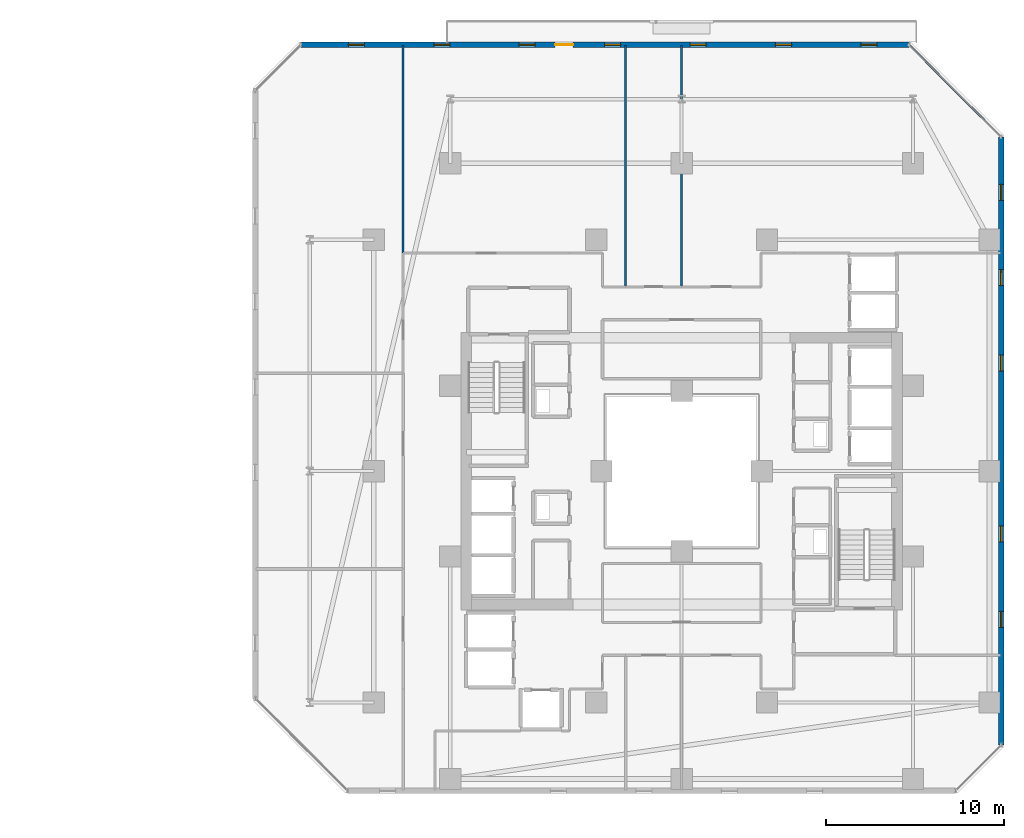
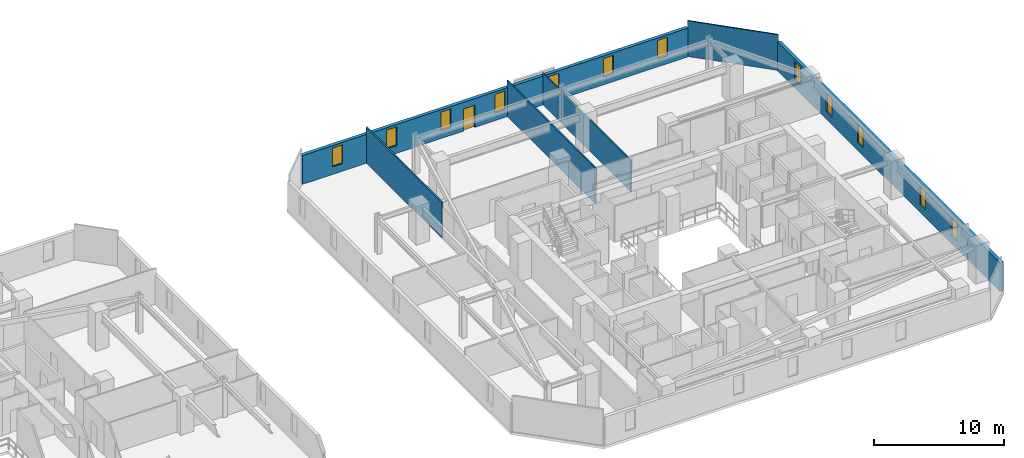
# One storey, part 24 of 31: 12 windows, 6 walls, 1 door, 13 openings.
"""IFC4 building model written with IfcOpenShell, lengths in metres."""

from ifc_helpers import new_model, si_unit, direction, frame, frame_2d, origin, place, context, subcontext, project, spatial, rectangle, extrude, material, layer, layer_set, type_object, element, fill, save


model = new_model("IFC4")

# Units and contexts
model_context = context("Model", 3, precision=1e-05, world=origin(), true_north=direction((0.0, 1.0)))
body_context = subcontext(model_context, "Body", "Model", "MODEL_VIEW")
ifc_project = project(units=[si_unit("LENGTHUNIT", "METRE"), si_unit("AREAUNIT", "SQUARE_METRE"), si_unit("VOLUMEUNIT", "CUBIC_METRE"), si_unit("PLANEANGLEUNIT", "RADIAN"), si_unit("MASSUNIT", "GRAM", prefix="KILO")], contexts=[model_context])

# Site, building, storey
site_placement = place(None, origin())
site = spatial("IfcSite", under=ifc_project, at=site_placement, CompositionType="ELEMENT")
building_placement = place(site_placement, origin())
building = spatial("IfcBuilding", under=site, at=building_placement, Name="Thornwick Lancets Civic Towers", CompositionType="ELEMENT")
storey_placement = place(building_placement, frame((0.0, 0.0, 87.300048828125)))
storey = spatial("IfcBuildingStorey", under=building, at=storey_placement, Name="L22", CompositionType="ELEMENT", Elevation=87.300048828125)

# Wall, openings, windows
ifc_material_1 = material(Name="Insulated russet terracotta rainscreen on concrete C40/50", Category="masonry")
ifc_layer_1 = layer(ifc_material_1, 0.300048828125, Name="Insulated russet terracotta rainscreen on concrete C40/50")
ifc_layer_set_1 = layer_set([ifc_layer_1], Name="Insulated russet terracotta rainscreen on concrete C40/50")
wall_type_1 = type_object("IfcWallType", Name="WALL_EXT_RUSSET_300", PredefinedType="STANDARD", material=ifc_layer_set_1)
wall_1_placement = place(storey_placement, frame((106.464599609375, 11.61865234375, 0.0), z_axis=(0.0, 0.0, 1.0), x_axis=(-0.000243032466, 0.999999970468, 0.0)))
wall_1 = element("IfcWall", 1, at=wall_1_placement, inside=storey, type_object=wall_type_1, Name="L22 Tower B Terracotta Facade Wall E2", PredefinedType="STANDARD", context=body_context, shape_type="SweptSolid", body=[
    extrude(rectangle(XDim=34.155029296875, YDim=0.300048828125, at=frame_2d((17.07763671875, 0.0))), origin(), (0.0, 0.0, 1.0), 2.699951171875),
])
opening_1_placement = place(wall_1_placement, frame((6.60009765625, 0.0, 0.719970703125)))
opening_1 = element("IfcOpeningElement", 2, at=opening_1_placement, cuts=wall_1, Name="Opening WL-01", PredefinedType="OPENING", context=body_context, shape_type="SweptSolid", body=[
    extrude(rectangle(XDim=0.89990234375, YDim=1.75, at=frame_2d((0.449951171875, 0.875))), frame((0.0, 0.16015625, 0.0), z_axis=(0.0, -1.0, 0.0), x_axis=(1.0, 0.0, 0.0)), (0.0, 0.0, 1.0), 0.320068359375),
])
opening_2_placement = place(wall_1_placement, frame((11.39990234375, 0.0, 0.719970703125)))
opening_2 = element("IfcOpeningElement", 3, at=opening_2_placement, cuts=wall_1, Name="Opening WL-01", PredefinedType="OPENING", context=body_context, shape_type="SweptSolid", body=[
    extrude(rectangle(XDim=0.89990234375, YDim=1.75, at=frame_2d((0.449951171875, 0.875))), frame((0.0, 0.16015625, 0.0), z_axis=(0.0, -1.0, 0.0), x_axis=(1.0, 0.0, 0.0)), (0.0, 0.0, 1.0), 0.320068359375),
])
opening_3_placement = place(wall_1_placement, frame((21.0, 0.0, 0.719970703125)))
opening_3 = element("IfcOpeningElement", 4, at=opening_3_placement, cuts=wall_1, Name="Opening WL-01", PredefinedType="OPENING", context=body_context, shape_type="SweptSolid", body=[
    extrude(rectangle(XDim=0.89990234375, YDim=1.75, at=frame_2d((0.449951171875, 0.875))), frame((0.0, 0.16015625, 0.0), z_axis=(0.0, -1.0, 0.0), x_axis=(1.0, 0.0, 0.0)), (0.0, 0.0, 1.0), 0.320068359375),
])
opening_4_placement = place(wall_1_placement, frame((25.800048828125, 0.0, 0.719970703125)))
opening_4 = element("IfcOpeningElement", 5, at=opening_4_placement, cuts=wall_1, Name="Opening WL-01", PredefinedType="OPENING", context=body_context, shape_type="SweptSolid", body=[
    extrude(rectangle(XDim=0.89990234375, YDim=1.75, at=frame_2d((0.449951171875, 0.875))), frame((0.0, 0.16015625, 0.0), z_axis=(0.0, -1.0, 0.0), x_axis=(1.0, 0.0, 0.0)), (0.0, 0.0, 1.0), 0.320068359375),
])
opening_5_placement = place(wall_1_placement, frame((30.60009765625, 0.0, 0.719970703125)))
opening_5 = element("IfcOpeningElement", 6, at=opening_5_placement, cuts=wall_1, Name="Opening WL-01", PredefinedType="OPENING", context=body_context, shape_type="SweptSolid", body=[
    extrude(rectangle(XDim=0.89990234375, YDim=1.75, at=frame_2d((0.449951171875, 0.875))), frame((0.0, 0.16015625, 0.0), z_axis=(0.0, -1.0, 0.0), x_axis=(1.0, 0.0, 0.0)), (0.0, 0.0, 1.0), 0.320068359375),
])
ifc_material_2 = material(Name="Clear low-e double glazing in bronze frame", Category="glass")
window_type = type_object("IfcWindowType", Name="WIN_LANCET_900", PartitioningType="SINGLE_PANEL", PredefinedType="WINDOW", material=ifc_material_2)
window_1_placement = place(opening_1_placement, origin())
window_1 = element("IfcWindow", 7, at=window_1_placement, inside=storey, type_object=window_type, Name="L22 Tower B Staggered Lancet Window E2-1", OverallHeight=1.75, OverallWidth=0.89990234375, PartitioningType="SINGLE_PANEL", PredefinedType="WINDOW", context=body_context, shape_type="SweptSolid", body=[
    extrude(rectangle(XDim=0.89990234375, YDim=1.75, at=frame_2d((0.449951171875, 0.875))), frame((0.0, 0.030029296875, 0.0), z_axis=(0.0, -1.0, 0.0), x_axis=(1.0, 0.0, 0.0)), (0.0, 0.0, 1.0), 0.06005859375),
])
fill(opening_1, window_1)
window_2_placement = place(opening_2_placement, origin())
window_2 = element("IfcWindow", 8, at=window_2_placement, inside=storey, type_object=window_type, Name="L22 Tower B Staggered Lancet Window E2-2", OverallHeight=1.75, OverallWidth=0.89990234375, PartitioningType="SINGLE_PANEL", PredefinedType="WINDOW", context=body_context, shape_type="SweptSolid", body=[
    extrude(rectangle(XDim=0.89990234375, YDim=1.75, at=frame_2d((0.449951171875, 0.875))), frame((0.0, 0.030029296875, 0.0), z_axis=(0.0, -1.0, 0.0), x_axis=(1.0, 0.0, 0.0)), (0.0, 0.0, 1.0), 0.06005859375),
])
fill(opening_2, window_2)
window_3_placement = place(opening_3_placement, origin())
window_3 = element("IfcWindow", 9, at=window_3_placement, inside=storey, type_object=window_type, Name="L22 Tower B Staggered Lancet Window E2-3", OverallHeight=1.75, OverallWidth=0.89990234375, PartitioningType="SINGLE_PANEL", PredefinedType="WINDOW", context=body_context, shape_type="SweptSolid", body=[
    extrude(rectangle(XDim=0.89990234375, YDim=1.75, at=frame_2d((0.449951171875, 0.875))), frame((0.0, 0.030029296875, 0.0), z_axis=(0.0, -1.0, 0.0), x_axis=(1.0, 0.0, 0.0)), (0.0, 0.0, 1.0), 0.06005859375),
])
fill(opening_3, window_3)
window_4_placement = place(opening_4_placement, origin())
window_4 = element("IfcWindow", 10, at=window_4_placement, inside=storey, type_object=window_type, Name="L22 Tower B Staggered Lancet Window E2-4", OverallHeight=1.75, OverallWidth=0.89990234375, PartitioningType="SINGLE_PANEL", PredefinedType="WINDOW", context=body_context, shape_type="SweptSolid", body=[
    extrude(rectangle(XDim=0.89990234375, YDim=1.75, at=frame_2d((0.449951171875, 0.875))), frame((0.0, 0.030029296875, 0.0), z_axis=(0.0, -1.0, 0.0), x_axis=(1.0, 0.0, 0.0)), (0.0, 0.0, 1.0), 0.06005859375),
])
fill(opening_4, window_4)
window_5_placement = place(opening_5_placement, origin())
window_5 = element("IfcWindow", 11, at=window_5_placement, inside=storey, type_object=window_type, Name="L22 Tower B Staggered Lancet Window E2-5", OverallHeight=1.75, OverallWidth=0.89990234375, PartitioningType="SINGLE_PANEL", PredefinedType="WINDOW", context=body_context, shape_type="SweptSolid", body=[
    extrude(rectangle(XDim=0.89990234375, YDim=1.75, at=frame_2d((0.449951171875, 0.875))), frame((0.0, 0.030029296875, 0.0), z_axis=(0.0, -1.0, 0.0), x_axis=(1.0, 0.0, 0.0)), (0.0, 0.0, 1.0), 0.06005859375),
])
fill(opening_5, window_5)

# Wall, openings, door, windows
wall_2_placement = place(storey_placement, frame((101.273681640625, 50.956298828125, 0.0), z_axis=(0.0, 0.0, 1.0), x_axis=(-0.999999970468, 0.000243032466, 0.0)))
wall_2 = element("IfcWall", 12, at=wall_2_placement, inside=storey, type_object=wall_type_1, Name="L22 Tower B Terracotta Facade Wall E4", PredefinedType="STANDARD", context=body_context, shape_type="SweptSolid", body=[
    extrude(rectangle(XDim=34.155029296875, YDim=0.300048828125, at=frame_2d((17.07763671875, 0.0))), origin(), (0.0, 0.0, 1.0), 2.699951171875),
])
opening_6_placement = place(wall_2_placement, frame((18.877685546875, 0.0, 0.0)))
opening_6 = element("IfcOpeningElement", 13, at=opening_6_placement, cuts=wall_2, Name="Opening D-BL-L22-BN", PredefinedType="OPENING", context=body_context, shape_type="SweptSolid", body=[
    extrude(rectangle(XDim=1.0, YDim=2.080078125, at=frame_2d((0.5, 1.0400390625))), frame((0.0, 0.16015625, 0.0), z_axis=(0.0, -1.0, 0.0), x_axis=(1.0, 0.0, 0.0)), (0.0, 0.0, 1.0), 0.320068359375),
])
opening_7_placement = place(wall_2_placement, frame((1.800048828125, 0.0, 0.719970703125)))
opening_7 = element("IfcOpeningElement", 14, at=opening_7_placement, cuts=wall_2, Name="Opening WL-01", PredefinedType="OPENING", context=body_context, shape_type="SweptSolid", body=[
    extrude(rectangle(XDim=0.89990234375, YDim=1.75, at=frame_2d((0.449951171875, 0.875))), frame((0.0, 0.16015625, 0.0), z_axis=(0.0, -1.0, 0.0), x_axis=(1.0, 0.0, 0.0)), (0.0, 0.0, 1.0), 0.320068359375),
])
opening_8_placement = place(wall_2_placement, frame((6.60009765625, 0.0, 0.719970703125)))
opening_8 = element("IfcOpeningElement", 15, at=opening_8_placement, cuts=wall_2, Name="Opening WL-01", PredefinedType="OPENING", context=body_context, shape_type="SweptSolid", body=[
    extrude(rectangle(XDim=0.89990234375, YDim=1.75, at=frame_2d((0.449951171875, 0.875))), frame((0.0, 0.16015625, 0.0), z_axis=(0.0, -1.0, 0.0), x_axis=(1.0, 0.0, 0.0)), (0.0, 0.0, 1.0), 0.320068359375),
])
opening_9_placement = place(wall_2_placement, frame((11.39990234375, 0.0, 0.719970703125)))
opening_9 = element("IfcOpeningElement", 16, at=opening_9_placement, cuts=wall_2, Name="Opening WL-01", PredefinedType="OPENING", context=body_context, shape_type="SweptSolid", body=[
    extrude(rectangle(XDim=0.89990234375, YDim=1.75, at=frame_2d((0.449951171875, 0.875))), frame((0.0, 0.16015625, 0.0), z_axis=(0.0, -1.0, 0.0), x_axis=(1.0, 0.0, 0.0)), (0.0, 0.0, 1.0), 0.320068359375),
])
opening_10_placement = place(wall_2_placement, frame((16.199951171875, 0.0, 0.719970703125)))
opening_10 = element("IfcOpeningElement", 17, at=opening_10_placement, cuts=wall_2, Name="Opening WL-01", PredefinedType="OPENING", context=body_context, shape_type="SweptSolid", body=[
    extrude(rectangle(XDim=0.89990234375, YDim=1.75, at=frame_2d((0.449951171875, 0.875))), frame((0.0, 0.16015625, 0.0), z_axis=(0.0, -1.0, 0.0), x_axis=(1.0, 0.0, 0.0)), (0.0, 0.0, 1.0), 0.320068359375),
])
opening_11_placement = place(wall_2_placement, frame((21.0, 0.0, 0.719970703125)))
opening_11 = element("IfcOpeningElement", 18, at=opening_11_placement, cuts=wall_2, Name="Opening WL-01", PredefinedType="OPENING", context=body_context, shape_type="SweptSolid", body=[
    extrude(rectangle(XDim=0.89990234375, YDim=1.75, at=frame_2d((0.449951171875, 0.875))), frame((0.0, 0.16015625, 0.0), z_axis=(0.0, -1.0, 0.0), x_axis=(1.0, 0.0, 0.0)), (0.0, 0.0, 1.0), 0.320068359375),
])
opening_12_placement = place(wall_2_placement, frame((25.800048828125, 0.0, 0.719970703125)))
opening_12 = element("IfcOpeningElement", 19, at=opening_12_placement, cuts=wall_2, Name="Opening WL-01", PredefinedType="OPENING", context=body_context, shape_type="SweptSolid", body=[
    extrude(rectangle(XDim=0.89990234375, YDim=1.75, at=frame_2d((0.449951171875, 0.875))), frame((0.0, 0.16015625, 0.0), z_axis=(0.0, -1.0, 0.0), x_axis=(1.0, 0.0, 0.0)), (0.0, 0.0, 1.0), 0.320068359375),
])
opening_13_placement = place(wall_2_placement, frame((30.60009765625, 0.0, 0.719970703125)))
opening_13 = element("IfcOpeningElement", 20, at=opening_13_placement, cuts=wall_2, Name="Opening WL-01", PredefinedType="OPENING", context=body_context, shape_type="SweptSolid", body=[
    extrude(rectangle(XDim=0.89990234375, YDim=1.75, at=frame_2d((0.449951171875, 0.875))), frame((0.0, 0.16015625, 0.0), z_axis=(0.0, -1.0, 0.0), x_axis=(1.0, 0.0, 0.0)), (0.0, 0.0, 1.0), 0.320068359375),
])
ifc_material_3 = material(Name="Thermally broken glazed loggia doorset")
door_type = type_object("IfcDoorType", Name="DOOR_BALC_1000", OperationType="NOTDEFINED", PredefinedType="DOOR", material=ifc_material_3)
door_placement = place(opening_6_placement, origin())
door = element("IfcDoor", 21, at=door_placement, inside=storey, type_object=door_type, Name="L22 Tower B Loggia Balcony Door N", OperationType="SINGLE_SWING_LEFT", OverallHeight=2.080078125, OverallWidth=1.0, PredefinedType="DOOR", context=body_context, shape_type="SweptSolid", body=[
    extrude(rectangle(XDim=1.0, YDim=2.080078125, at=frame_2d((0.5, 1.0400390625))), frame((0.0, 0.02490234375, 0.0), z_axis=(0.0, -1.0, 0.0), x_axis=(1.0, 0.0, 0.0)), (0.0, 0.0, 1.0), 0.050048828125),
])
fill(opening_6, door)
window_6_placement = place(opening_7_placement, origin())
window_6 = element("IfcWindow", 22, at=window_6_placement, inside=storey, type_object=window_type, Name="L22 Tower B Staggered Lancet Window E4-1", OverallHeight=1.75, OverallWidth=0.89990234375, PartitioningType="SINGLE_PANEL", PredefinedType="WINDOW", context=body_context, shape_type="SweptSolid", body=[
    extrude(rectangle(XDim=0.89990234375, YDim=1.75, at=frame_2d((0.449951171875, 0.875))), frame((0.0, 0.030029296875, 0.0), z_axis=(0.0, -1.0, 0.0), x_axis=(1.0, 0.0, 0.0)), (0.0, 0.0, 1.0), 0.06005859375),
])
fill(opening_7, window_6)
window_7_placement = place(opening_8_placement, origin())
window_7 = element("IfcWindow", 23, at=window_7_placement, inside=storey, type_object=window_type, Name="L22 Tower B Staggered Lancet Window E4-2", OverallHeight=1.75, OverallWidth=0.89990234375, PartitioningType="SINGLE_PANEL", PredefinedType="WINDOW", context=body_context, shape_type="SweptSolid", body=[
    extrude(rectangle(XDim=0.89990234375, YDim=1.75, at=frame_2d((0.449951171875, 0.875))), frame((0.0, 0.030029296875, 0.0), z_axis=(0.0, -1.0, 0.0), x_axis=(1.0, 0.0, 0.0)), (0.0, 0.0, 1.0), 0.06005859375),
])
fill(opening_8, window_7)
window_8_placement = place(opening_9_placement, origin())
window_8 = element("IfcWindow", 24, at=window_8_placement, inside=storey, type_object=window_type, Name="L22 Tower B Staggered Lancet Window E4-3", OverallHeight=1.75, OverallWidth=0.89990234375, PartitioningType="SINGLE_PANEL", PredefinedType="WINDOW", context=body_context, shape_type="SweptSolid", body=[
    extrude(rectangle(XDim=0.89990234375, YDim=1.75, at=frame_2d((0.449951171875, 0.875))), frame((0.0, 0.030029296875, 0.0), z_axis=(0.0, -1.0, 0.0), x_axis=(1.0, 0.0, 0.0)), (0.0, 0.0, 1.0), 0.06005859375),
])
fill(opening_9, window_8)
window_9_placement = place(opening_10_placement, origin())
window_9 = element("IfcWindow", 25, at=window_9_placement, inside=storey, type_object=window_type, Name="L22 Tower B Staggered Lancet Window E4-4", OverallHeight=1.75, OverallWidth=0.89990234375, PartitioningType="SINGLE_PANEL", PredefinedType="WINDOW", context=body_context, shape_type="SweptSolid", body=[
    extrude(rectangle(XDim=0.89990234375, YDim=1.75, at=frame_2d((0.449951171875, 0.875))), frame((0.0, 0.030029296875, 0.0), z_axis=(0.0, -1.0, 0.0), x_axis=(1.0, 0.0, 0.0)), (0.0, 0.0, 1.0), 0.06005859375),
])
fill(opening_10, window_9)
window_10_placement = place(opening_11_placement, origin())
window_10 = element("IfcWindow", 26, at=window_10_placement, inside=storey, type_object=window_type, Name="L22 Tower B Staggered Lancet Window E4-5", OverallHeight=1.75, OverallWidth=0.89990234375, PartitioningType="SINGLE_PANEL", PredefinedType="WINDOW", context=body_context, shape_type="SweptSolid", body=[
    extrude(rectangle(XDim=0.89990234375, YDim=1.75, at=frame_2d((0.449951171875, 0.875))), frame((0.0, 0.030029296875, 0.0), z_axis=(0.0, -1.0, 0.0), x_axis=(1.0, 0.0, 0.0)), (0.0, 0.0, 1.0), 0.06005859375),
])
fill(opening_11, window_10)
window_11_placement = place(opening_12_placement, origin())
window_11 = element("IfcWindow", 27, at=window_11_placement, inside=storey, type_object=window_type, Name="L22 Tower B Staggered Lancet Window E4-6", OverallHeight=1.75, OverallWidth=0.89990234375, PartitioningType="SINGLE_PANEL", PredefinedType="WINDOW", context=body_context, shape_type="SweptSolid", body=[
    extrude(rectangle(XDim=0.89990234375, YDim=1.75, at=frame_2d((0.449951171875, 0.875))), frame((0.0, 0.030029296875, 0.0), z_axis=(0.0, -1.0, 0.0), x_axis=(1.0, 0.0, 0.0)), (0.0, 0.0, 1.0), 0.06005859375),
])
fill(opening_12, window_11)
window_12_placement = place(opening_13_placement, origin())
window_12 = element("IfcWindow", 28, at=window_12_placement, inside=storey, type_object=window_type, Name="L22 Tower B Staggered Lancet Window E4-7", OverallHeight=1.75, OverallWidth=0.89990234375, PartitioningType="SINGLE_PANEL", PredefinedType="WINDOW", context=body_context, shape_type="SweptSolid", body=[
    extrude(rectangle(XDim=0.89990234375, YDim=1.75, at=frame_2d((0.449951171875, 0.875))), frame((0.0, 0.030029296875, 0.0), z_axis=(0.0, -1.0, 0.0), x_axis=(1.0, 0.0, 0.0)), (0.0, 0.0, 1.0), 0.06005859375),
])
fill(opening_13, window_12)

# Walls
ifc_material_4 = material(Name="Acoustic gypsum board partition")
ifc_layer_2 = layer(ifc_material_4, 0.1201171875, Name="Acoustic gypsum board partition")
ifc_layer_set_2 = layer_set([ifc_layer_2], Name="Acoustic gypsum board partition")
wall_type_2 = type_object("IfcWallType", Name="WALL_PART_120", PredefinedType="PARTITIONING", material=ifc_layer_set_2)
wall_3_placement = place(storey_placement, frame((88.5, 37.35009765625, 0.0), z_axis=(0.0, 0.0, 1.0), x_axis=(0.0, 1.0, 0.0)))
element("IfcWall", 29, at=wall_3_placement, inside=storey, type_object=wall_type_2, Name="L22 Partition L22-B-E1 E7", PredefinedType="PARTITIONING", context=body_context, shape_type="SweptSolid", body=[
    extrude(rectangle(XDim=13.56982421875, YDim=0.1201171875, at=frame_2d((6.784912109375, 0.0))), origin(), (0.0, 0.0, 1.0), 2.93212890625),
])
wall_4_placement = place(storey_placement, frame((101.307373046875, 50.919921875, 0.0), z_axis=(0.0, 0.0, 1.0), x_axis=(0.707106781187, -0.707106781187, 0.0)))
element("IfcWall", 30, at=wall_4_placement, inside=storey, type_object=wall_type_2, Name="L22 Partition L22-B-E1 E9", PredefinedType="PARTITIONING", context=body_context, shape_type="SweptSolid", body=[
    extrude(rectangle(XDim=7.230224609375, YDim=0.1201171875, at=frame_2d((3.615234375, 0.0))), origin(), (0.0, 0.0, 1.0), 3.33984375),
])
wall_5_placement = place(storey_placement, frame((85.35009765625, 37.35009765625, 0.0), z_axis=(0.0, 0.0, 1.0), x_axis=(0.0, 1.0, 0.0)))
element("IfcWall", 31, at=wall_5_placement, inside=storey, type_object=wall_type_2, Name="L22 Partition L22-B-E2 E1", PredefinedType="PARTITIONING", context=body_context, shape_type="SweptSolid", body=[
    extrude(rectangle(XDim=13.56982421875, YDim=0.1201171875, at=frame_2d((6.784912109375, 0.0))), origin(), (0.0, 0.0, 1.0), 3.33984375),
])
wall_6_placement = place(storey_placement, frame((72.85009765625, 39.25, 0.0), z_axis=(0.0, 0.0, 1.0), x_axis=(0.0, 1.0, 0.0)))
element("IfcWall", 32, at=wall_6_placement, inside=storey, type_object=wall_type_2, Name="L22 Partition L22-B-E3 E4", PredefinedType="PARTITIONING", context=body_context, shape_type="SweptSolid", body=[
    extrude(rectangle(XDim=11.669921875, YDim=0.1201171875, at=frame_2d((5.8349609375, 0.0))), origin(), (0.0, 0.0, 1.0), 3.33984375),
])

save(model, "model.ifc")
